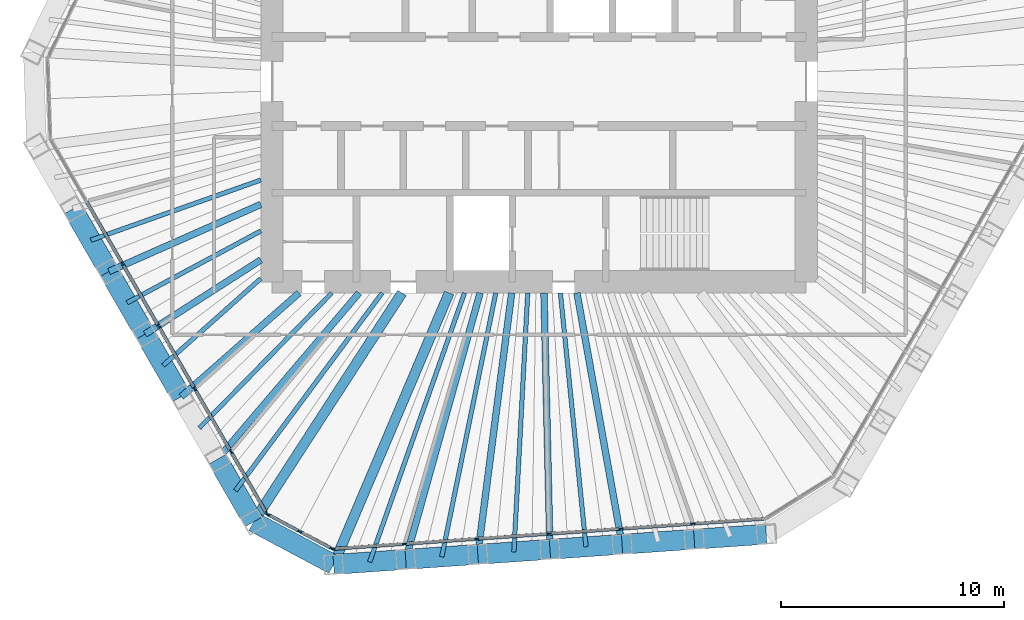
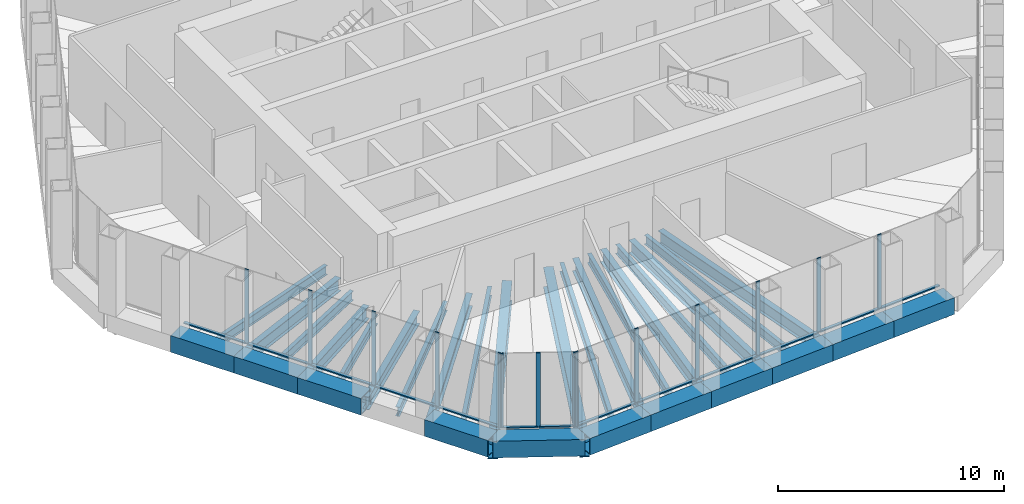
# One storey, part 2 of 14: 30 beams, 27 members, 3 elements without a shape of their own.
"""IFC4 building model written with IfcOpenShell, lengths in metres."""

from ifc_helpers import new_model, si_unit, direction, frame, origin, origin_2d, place, context, subcontext, project, spatial, rectangle, hollow_rectangle, i_section, extrude, material, material_profile, profile_set, type_object, element, aggregate, save


model = new_model("IFC4")

# Units and contexts
model_context = context("Model", 3, precision=1e-05, world=origin(), true_north=direction((0.0, 1.0)))
body_context = subcontext(model_context, "Body", "Model", "MODEL_VIEW")
ifc_project = project(units=[si_unit("LENGTHUNIT", "METRE"), si_unit("AREAUNIT", "SQUARE_METRE"), si_unit("VOLUMEUNIT", "CUBIC_METRE"), si_unit("PLANEANGLEUNIT", "RADIAN"), si_unit("MASSUNIT", "GRAM", prefix="KILO")], contexts=[model_context])

# Site, building, storey
site_placement = place(None, origin())
site = spatial("IfcSite", under=ifc_project, at=site_placement, CompositionType="ELEMENT")
building_placement = place(site_placement, origin())
building = spatial("IfcBuilding", under=site, at=building_placement, Name="Qingtian Harvest Tower", CompositionType="ELEMENT")
storey_placement = place(building_placement, frame((0.0, 0.0, 274.60009765625)))
storey = spatial("IfcBuildingStorey", under=building, at=storey_placement, Name="L60", CompositionType="ELEMENT", Elevation=274.60009765625)

# Beams
ifc_material_1 = material(Name="Steel SM570MC", Category="steel")
ifc_material_profile_1 = material_profile(ifc_material_1, i_section(OverallWidth=0.449951171875, OverallDepth=1.10009765625, WebThickness=0.02197265625, FlangeThickness=0.044921875, at=origin_2d()), Name="H1100x450x22x45")
ifc_profile_set_1 = profile_set([ifc_material_profile_1], Name="Steel SM570MC")
beam_type_1 = type_object("IfcBeamType", Name="Corner floor beam FB8 H1100x450x22x45", PredefinedType="BEAM", material=ifc_profile_set_1)
beam_1_placement = place(storey_placement, frame((-9.231201171875, -21.69677734375, -0.72021484375), z_axis=(0.391497096334, 0.920179343151, 0.0), x_axis=(-0.920179343151, 0.391497096334, 0.0)))
element("IfcBeam", 1, at=beam_1_placement, inside=storey, type_object=beam_type_1, Name="Floor beam FB8 S6", PredefinedType="BEAM", context=body_context, shape_type="SweptSolid", body=[
    extrude(i_section(OverallWidth=0.449951171875, OverallDepth=1.10009765625, WebThickness=0.02197265625, FlangeThickness=0.044921875, at=origin_2d()), origin(), (0.0, 0.0, 1.0), 13.2548828125),
])
beam_2_placement = place(storey_placement, frame((-12.825439453125, -19.78564453125, -0.72021484375), z_axis=(0.543944801957, 0.83912099987, 0.0), x_axis=(-0.83912099987, 0.543944801957, 0.0)))
element("IfcBeam", 2, at=beam_2_placement, inside=storey, type_object=beam_type_1, Name="Floor beam FB8 SW0", PredefinedType="BEAM", context=body_context, shape_type="SweptSolid", body=[
    extrude(i_section(OverallWidth=0.449951171875, OverallDepth=1.10009765625, WebThickness=0.02197265625, FlangeThickness=0.044921875, at=origin_2d()), origin(), (0.0, 0.0, 1.0), 12.257568359375),
])
ifc_material_2 = material(Name="Steel SN490B", Category="steel")
ifc_material_profile_2 = material_profile(ifc_material_2, i_section(OverallWidth=0.300048828125, OverallDepth=0.699951171875, WebThickness=0.012939453125, FlangeThickness=0.02392578125, at=origin_2d()), Name="H700x300x13x24")
ifc_profile_set_2 = profile_set([ifc_material_profile_2], Name="Steel SN490B")
beam_type_2 = type_object("IfcBeamType", Name="Floor beam FB4 H700x300x13x24", PredefinedType="BEAM", material=ifc_profile_set_2)
beam_3_placement = place(storey_placement, frame((3.729248046875, -20.79052734375, -0.52001953125), z_axis=(-0.176549332285, 0.984291792747, 0.0), x_axis=(-0.984291792747, -0.176549332285, 0.0)))
element("IfcBeam", 3, at=beam_3_placement, inside=storey, type_object=beam_type_2, Name="Floor beam FB4 S2", PredefinedType="BEAM", context=body_context, shape_type="SweptSolid", body=[
    extrude(i_section(OverallWidth=0.300048828125, OverallDepth=0.699951171875, WebThickness=0.012939453125, FlangeThickness=0.02392578125, at=origin_2d()), origin(), (0.0, 0.0, 1.0), 11.470703125),
])
beam_4_placement = place(storey_placement, frame((0.489013671875, -21.01708984375, -0.52001953125), z_axis=(-0.023248050009, 0.999729727562, 0.0), x_axis=(-0.999729727562, -0.023248050009, 0.0)))
element("IfcBeam", 4, at=beam_4_placement, inside=storey, type_object=beam_type_2, Name="Floor beam FB4 S3", PredefinedType="BEAM", context=body_context, shape_type="SweptSolid", body=[
    extrude(i_section(OverallWidth=0.300048828125, OverallDepth=0.699951171875, WebThickness=0.012939453125, FlangeThickness=0.02392578125, at=origin_2d()), origin(), (0.0, 0.0, 1.0), 11.520263671875),
])
beam_5_placement = place(storey_placement, frame((-2.7509765625, -21.24365234375, -0.52001953125), z_axis=(0.128423358095, 0.991719436683, 0.0), x_axis=(-0.991719436683, 0.128423358095, 0.0)))
element("IfcBeam", 5, at=beam_5_placement, inside=storey, type_object=beam_type_2, Name="Floor beam FB4 S4", PredefinedType="BEAM", context=body_context, shape_type="SweptSolid", body=[
    extrude(i_section(OverallWidth=0.300048828125, OverallDepth=0.699951171875, WebThickness=0.012939453125, FlangeThickness=0.02392578125, at=origin_2d()), origin(), (0.0, 0.0, 1.0), 11.841796875),
])
beam_6_placement = place(storey_placement, frame((-5.9912109375, -21.47021484375, -0.52001953125), z_axis=(0.268784556761, 0.963200322906, 0.0), x_axis=(-0.963200322906, 0.268784556761, 0.0)))
element("IfcBeam", 6, at=beam_6_placement, inside=storey, type_object=beam_type_2, Name="Floor beam FB4 S5", PredefinedType="BEAM", context=body_context, shape_type="SweptSolid", body=[
    extrude(i_section(OverallWidth=0.300048828125, OverallDepth=0.699951171875, WebThickness=0.012939453125, FlangeThickness=0.02392578125, at=origin_2d()), origin(), (0.0, 0.0, 1.0), 12.427490234375),
])
beam_7_placement = place(storey_placement, frame((-14.449462890625, -16.972900390625, -0.52001953125), z_axis=(0.64823096823, 0.761443768001, 0.0), x_axis=(-0.761443768001, 0.64823096823, 0.0)))
element("IfcBeam", 7, at=beam_7_placement, inside=storey, type_object=beam_type_2, Name="Floor beam FB4 SW1", PredefinedType="BEAM", context=body_context, shape_type="SweptSolid", body=[
    extrude(i_section(OverallWidth=0.300048828125, OverallDepth=0.699951171875, WebThickness=0.012939453125, FlangeThickness=0.02392578125, at=origin_2d()), origin(), (0.0, 0.0, 1.0), 9.814208984375),
])
beam_8_placement = place(storey_placement, frame((-16.073486328125, -14.159912109375, -0.52001953125), z_axis=(0.75036921961, 0.661018936387, 0.0), x_axis=(-0.661018936387, 0.75036921961, 0.0)))
element("IfcBeam", 8, at=beam_8_placement, inside=storey, type_object=beam_type_2, Name="Floor beam FB4 SW2", PredefinedType="BEAM", context=body_context, shape_type="SweptSolid", body=[
    extrude(i_section(OverallWidth=0.300048828125, OverallDepth=0.699951171875, WebThickness=0.012939453125, FlangeThickness=0.02392578125, at=origin_2d()), origin(), (0.0, 0.0, 1.0), 7.049560546875),
])
beam_9_placement = place(storey_placement, frame((-17.697509765625, -11.34716796875, -0.52001953125), z_axis=(0.841821552392, 0.539755939225, 0.0), x_axis=(-0.539755939225, 0.841821552392, 0.0)))
element("IfcBeam", 9, at=beam_9_placement, inside=storey, type_object=beam_type_2, Name="Floor beam FB4 SW3", PredefinedType="BEAM", context=body_context, shape_type="SweptSolid", body=[
    extrude(i_section(OverallWidth=0.300048828125, OverallDepth=0.699951171875, WebThickness=0.012939453125, FlangeThickness=0.02392578125, at=origin_2d()), origin(), (0.0, 0.0, 1.0), 6.174072265625),
])
beam_10_placement = place(storey_placement, frame((-19.321533203125, -8.5341796875, -0.52001953125), z_axis=(0.914747389649, 0.404026253021, 0.0), x_axis=(-0.404026253021, 0.914747389649, 0.0)))
element("IfcBeam", 10, at=beam_10_placement, inside=storey, type_object=beam_type_2, Name="Floor beam FB4 SW4", PredefinedType="BEAM", context=body_context, shape_type="SweptSolid", body=[
    extrude(i_section(OverallWidth=0.300048828125, OverallDepth=0.699951171875, WebThickness=0.012939453125, FlangeThickness=0.02392578125, at=origin_2d()), origin(), (0.0, 0.0, 1.0), 7.457275390625),
])
ifc_material_3 = material(Name="Steel SN490B", Category="steel")
ifc_material_profile_3 = material_profile(ifc_material_3, i_section(OverallWidth=0.199951171875, OverallDepth=0.5, WebThickness=0.010009765625, FlangeThickness=0.01611328125, at=origin_2d()), Name="H500x200x10x16")
ifc_profile_set_3 = profile_set([ifc_material_profile_3], Name="Steel SN490B")
beam_type_3 = type_object("IfcBeamType", Name="Floor joist J3 H500x200x10x16", PredefinedType="JOIST", material=ifc_profile_set_3)
beam_11_placement = place(storey_placement, frame((2.109130859375, -20.90380859375, -0.420166015625), z_axis=(-0.100389444623, 0.994948219461, 0.0), x_axis=(-0.994948219461, -0.100389444623, 0.0)))
element("IfcBeam", 11, at=beam_11_placement, inside=storey, type_object=beam_type_3, Name="Floor joist J3 S2", PredefinedType="JOIST", context=body_context, shape_type="SweptSolid", body=[
    extrude(i_section(OverallWidth=0.199951171875, OverallDepth=0.5, WebThickness=0.010009765625, FlangeThickness=0.01611328125, at=origin_2d()), origin(), (0.0, 0.0, 1.0), 11.461669921875),
])
beam_12_placement = place(storey_placement, frame((-1.130859375, -21.13037109375, -0.420166015625), z_axis=(0.053431269754, 0.998571529442, 0.0), x_axis=(-0.998571529442, 0.053431269754, 0.0)))
element("IfcBeam", 12, at=beam_12_placement, inside=storey, type_object=beam_type_3, Name="Floor joist J3 S3", PredefinedType="JOIST", context=body_context, shape_type="SweptSolid", body=[
    extrude(i_section(OverallWidth=0.199951171875, OverallDepth=0.5, WebThickness=0.010009765625, FlangeThickness=0.01611328125, at=origin_2d()), origin(), (0.0, 0.0, 1.0), 11.64697265625),
])
beam_13_placement = place(storey_placement, frame((-4.37109375, -21.35693359375, -0.420166015625), z_axis=(0.20051328843, 0.979690982485, 0.0), x_axis=(-0.979690982485, 0.20051328843, 0.0)))
element("IfcBeam", 13, at=beam_13_placement, inside=storey, type_object=beam_type_3, Name="Floor joist J3 S4", PredefinedType="JOIST", context=body_context, shape_type="SweptSolid", body=[
    extrude(i_section(OverallWidth=0.199951171875, OverallDepth=0.5, WebThickness=0.010009765625, FlangeThickness=0.01611328125, at=origin_2d()), origin(), (0.0, 0.0, 1.0), 12.102783203125),
])
beam_14_placement = place(storey_placement, frame((-7.611083984375, -21.58349609375, -0.420166015625), z_axis=(0.332557973755, 0.943082814016, 0.0), x_axis=(-0.943082814016, 0.332557973755, 0.0)))
element("IfcBeam", 14, at=beam_14_placement, inside=storey, type_object=beam_type_3, Name="Floor joist J3 S5", PredefinedType="JOIST", context=body_context, shape_type="SweptSolid", body=[
    extrude(i_section(OverallWidth=0.199951171875, OverallDepth=0.5, WebThickness=0.010009765625, FlangeThickness=0.01611328125, at=origin_2d()), origin(), (0.0, 0.0, 1.0), 12.812744140625),
])
beam_15_placement = place(storey_placement, frame((-13.637451171875, -18.37939453125, -0.420166015625), z_axis=(0.59587265023, 0.80307894052, 0.0), x_axis=(-0.80307894052, 0.59587265023, 0.0)))
element("IfcBeam", 15, at=beam_15_placement, inside=storey, type_object=beam_type_3, Name="Floor joist J3 SW0", PredefinedType="JOIST", context=body_context, shape_type="SweptSolid", body=[
    extrude(i_section(OverallWidth=0.199951171875, OverallDepth=0.5, WebThickness=0.010009765625, FlangeThickness=0.01611328125, at=origin_2d()), origin(), (0.0, 0.0, 1.0), 11.056640625),
])
beam_16_placement = place(storey_placement, frame((-15.261474609375, -15.56640625, -0.420166015625), z_axis=(0.700074571426, 0.714069740602, 0.0), x_axis=(-0.714069740602, 0.700074571426, 0.0)))
element("IfcBeam", 16, at=beam_16_placement, inside=storey, type_object=beam_type_3, Name="Floor joist J3 SW1", PredefinedType="JOIST", context=body_context, shape_type="SweptSolid", body=[
    extrude(i_section(OverallWidth=0.199951171875, OverallDepth=0.5, WebThickness=0.010009765625, FlangeThickness=0.01611328125, at=origin_2d()), origin(), (0.0, 0.0, 1.0), 8.49560546875),
])
beam_17_placement = place(storey_placement, frame((-16.885498046875, -12.753662109375, -0.420166015625), z_axis=(0.746957180478, 0.664872146004, 0.0), x_axis=(-0.664872146004, 0.746957180478, 0.0)))
element("IfcBeam", 17, at=beam_17_placement, inside=storey, type_object=beam_type_3, Name="Floor joist J3 SW2", PredefinedType="JOIST", context=body_context, shape_type="SweptSolid", body=[
    extrude(i_section(OverallWidth=0.199951171875, OverallDepth=0.5, WebThickness=0.010009765625, FlangeThickness=0.01611328125, at=origin_2d()), origin(), (0.0, 0.0, 1.0), 5.87109375),
])
beam_18_placement = place(storey_placement, frame((-18.509521484375, -9.940673828125, -0.420166015625), z_axis=(0.880981997123, 0.473149786795, 0.0), x_axis=(-0.473149786795, 0.880981997123, 0.0)))
element("IfcBeam", 18, at=beam_18_placement, inside=storey, type_object=beam_type_3, Name="Floor joist J3 SW3", PredefinedType="JOIST", context=body_context, shape_type="SweptSolid", body=[
    extrude(i_section(OverallWidth=0.199951171875, OverallDepth=0.5, WebThickness=0.010009765625, FlangeThickness=0.01611328125, at=origin_2d()), origin(), (0.0, 0.0, 1.0), 6.8212890625),
])
beam_19_placement = place(storey_placement, frame((-20.133544921875, -7.1279296875, -0.420166015625), z_axis=(0.942662600818, 0.333747241215, 0.0), x_axis=(-0.333747241215, 0.942662600818, 0.0)))
element("IfcBeam", 19, at=beam_19_placement, inside=storey, type_object=beam_type_3, Name="Floor joist J3 SW4", PredefinedType="JOIST", context=body_context, shape_type="SweptSolid", body=[
    extrude(i_section(OverallWidth=0.199951171875, OverallDepth=0.5, WebThickness=0.010009765625, FlangeThickness=0.01611328125, at=origin_2d()), origin(), (0.0, 0.0, 1.0), 8.097900390625),
])

# Curtain wall, members
ifc_material_4 = material(Name="Bronze-anodised aluminium curtain wall", Category="aluminium")
curtain_wall_type = type_object("IfcCurtainWallType", Name="Curtain wall CW5 upper office", PredefinedType="USERDEFINED", material=ifc_material_4)
curtain_wall_1_placement = place(storey_placement, origin())
curtain_wall_1 = element("IfcCurtainWall", 20, at=curtain_wall_1_placement, inside=storey, type_object=curtain_wall_type, Name="Curtain wall CW5 L60 S0-5", ObjectType="RECESSED CURTAIN WALL", PredefinedType="USERDEFINED")
ifc_material_5 = material(Name="Bronze-anodised aluminium mullion", Category="aluminium")
ifc_material_profile_4 = material_profile(ifc_material_5, rectangle(XDim=0.06494140625, YDim=0.199951171875, at=origin_2d()), Name="AL 65x200")
ifc_profile_set_4 = profile_set([ifc_material_profile_4], Name="Bronze-anodised aluminium mullion")
member_type_1 = type_object("IfcMemberType", Name="Mullion CWM 65x200", PredefinedType="MULLION", material=ifc_profile_set_4)
member_1_placement = place(storey_placement, frame((6.92041015625, -19.86572265625, 0.0), z_axis=(0.0, 0.0, 1.0), x_axis=(0.069756473744, -0.99756405026, 0.0)))
member_1 = element("IfcMember", 21, at=member_1_placement, type_object=member_type_1, Name="CW5 mullion 2", PredefinedType="MULLION", context=body_context, shape_type="SweptSolid", body=[
    extrude(rectangle(XDim=0.06494140625, YDim=0.199951171875, at=origin_2d()), origin(), (0.0, 0.0, 1.0), 4.02978515625),
])
member_2_placement = place(storey_placement, frame((3.680419921875, -20.09228515625, 0.0), z_axis=(0.0, 0.0, 1.0), x_axis=(0.069756473744, -0.99756405026, 0.0)))
member_2 = element("IfcMember", 22, at=member_2_placement, type_object=member_type_1, Name="CW5 mullion 3", PredefinedType="MULLION", context=body_context, shape_type="SweptSolid", body=[
    extrude(rectangle(XDim=0.06494140625, YDim=0.199951171875, at=origin_2d()), origin(), (0.0, 0.0, 1.0), 4.02978515625),
])
member_3_placement = place(storey_placement, frame((0.440185546875, -20.31884765625, 0.0), z_axis=(0.0, 0.0, 1.0), x_axis=(0.069756473744, -0.99756405026, 0.0)))
member_3 = element("IfcMember", 23, at=member_3_placement, type_object=member_type_1, Name="CW5 mullion 4", PredefinedType="MULLION", context=body_context, shape_type="SweptSolid", body=[
    extrude(rectangle(XDim=0.06494140625, YDim=0.199951171875, at=origin_2d()), origin(), (0.0, 0.0, 1.0), 4.02978515625),
])
member_4_placement = place(storey_placement, frame((-2.7998046875, -20.54541015625, 0.0), z_axis=(0.0, 0.0, 1.0), x_axis=(0.069756473744, -0.99756405026, 0.0)))
member_4 = element("IfcMember", 24, at=member_4_placement, type_object=member_type_1, Name="CW5 mullion 5", PredefinedType="MULLION", context=body_context, shape_type="SweptSolid", body=[
    extrude(rectangle(XDim=0.06494140625, YDim=0.199951171875, at=origin_2d()), origin(), (0.0, 0.0, 1.0), 4.02978515625),
])
member_5_placement = place(storey_placement, frame((-6.0400390625, -20.77197265625, 0.0), z_axis=(0.0, 0.0, 1.0), x_axis=(0.069756473744, -0.99756405026, 0.0)))
member_5 = element("IfcMember", 25, at=member_5_placement, type_object=member_type_1, Name="CW5 mullion 6", PredefinedType="MULLION", context=body_context, shape_type="SweptSolid", body=[
    extrude(rectangle(XDim=0.06494140625, YDim=0.199951171875, at=origin_2d()), origin(), (0.0, 0.0, 1.0), 4.02978515625),
])
member_6_placement = place(storey_placement, frame((-9.24755859375, -20.996337890625, 0.0), z_axis=(0.0, 0.0, 1.0), x_axis=(0.069756473744, -0.99756405026, 0.0)))
member_6 = element("IfcMember", 26, at=member_6_placement, type_object=member_type_1, Name="CW5 mullion 7", PredefinedType="MULLION", context=body_context, shape_type="SweptSolid", body=[
    extrude(rectangle(XDim=0.06494140625, YDim=0.199951171875, at=origin_2d()), origin(), (0.0, 0.0, 1.0), 4.02978515625),
])

curtain_wall_2_placement = place(storey_placement, origin())
curtain_wall_2 = element("IfcCurtainWall", 27, at=curtain_wall_2_placement, inside=storey, type_object=curtain_wall_type, Name="Curtain wall CW5 L60 SC", ObjectType="RECESSED CURTAIN WALL", PredefinedType="USERDEFINED")
member_7_placement = place(storey_placement, frame((-9.308837890625, -20.983154296875, 0.0), z_axis=(0.0, 0.0, 1.0), x_axis=(-0.469471562786, -0.882947592859, 0.0)))
member_7 = element("IfcMember", 28, at=member_7_placement, type_object=member_type_1, Name="CW5 mullion 1", PredefinedType="MULLION", context=body_context, shape_type="SweptSolid", body=[
    extrude(rectangle(XDim=0.06494140625, YDim=0.199951171875, at=origin_2d()), origin(), (0.0, 0.0, 1.0), 4.02978515625),
])
member_8_placement = place(storey_placement, frame((-10.749755859375, -20.217041015625, 0.0), z_axis=(0.0, 0.0, 1.0), x_axis=(-0.469471562786, -0.882947592859, 0.0)))
member_8 = element("IfcMember", 29, at=member_8_placement, type_object=member_type_1, Name="CW5 mullion 2", PredefinedType="MULLION", context=body_context, shape_type="SweptSolid", body=[
    extrude(rectangle(XDim=0.06494140625, YDim=0.199951171875, at=origin_2d()), origin(), (0.0, 0.0, 1.0), 4.02978515625),
])
member_9_placement = place(storey_placement, frame((-12.1904296875, -19.450927734375, 0.0), z_axis=(0.0, 0.0, 1.0), x_axis=(-0.469471562786, -0.882947592859, 0.0)))
member_9 = element("IfcMember", 30, at=member_9_placement, type_object=member_type_1, Name="CW5 mullion 3", PredefinedType="MULLION", context=body_context, shape_type="SweptSolid", body=[
    extrude(rectangle(XDim=0.06494140625, YDim=0.199951171875, at=origin_2d()), origin(), (0.0, 0.0, 1.0), 4.02978515625),
])

curtain_wall_3_placement = place(storey_placement, origin())
curtain_wall_3 = element("IfcCurtainWall", 31, at=curtain_wall_3_placement, inside=storey, type_object=curtain_wall_type, Name="Curtain wall CW5 L60 SW0-5", ObjectType="RECESSED CURTAIN WALL", PredefinedType="USERDEFINED")
member_10_placement = place(storey_placement, frame((-12.2353515625, -19.40771484375, 0.0), z_axis=(0.0, 0.0, 1.0), x_axis=(-0.866025403784, -0.5, 0.0)))
member_10 = element("IfcMember", 32, at=member_10_placement, type_object=member_type_1, Name="CW5 mullion 1", PredefinedType="MULLION", context=body_context, shape_type="SweptSolid", body=[
    extrude(rectangle(XDim=0.06494140625, YDim=0.199951171875, at=origin_2d()), origin(), (0.0, 0.0, 1.0), 4.02978515625),
])
member_11_placement = place(storey_placement, frame((-13.84326171875, -16.622802734375, 0.0), z_axis=(0.0, 0.0, 1.0), x_axis=(-0.866025403784, -0.5, 0.0)))
member_11 = element("IfcMember", 33, at=member_11_placement, type_object=member_type_1, Name="CW5 mullion 2", PredefinedType="MULLION", context=body_context, shape_type="SweptSolid", body=[
    extrude(rectangle(XDim=0.06494140625, YDim=0.199951171875, at=origin_2d()), origin(), (0.0, 0.0, 1.0), 4.02978515625),
])
member_12_placement = place(storey_placement, frame((-15.46728515625, -13.81005859375, 0.0), z_axis=(0.0, 0.0, 1.0), x_axis=(-0.866025403784, -0.5, 0.0)))
member_12 = element("IfcMember", 34, at=member_12_placement, type_object=member_type_1, Name="CW5 mullion 3", PredefinedType="MULLION", context=body_context, shape_type="SweptSolid", body=[
    extrude(rectangle(XDim=0.06494140625, YDim=0.199951171875, at=origin_2d()), origin(), (0.0, 0.0, 1.0), 4.02978515625),
])
member_13_placement = place(storey_placement, frame((-17.09130859375, -10.9970703125, 0.0), z_axis=(0.0, 0.0, 1.0), x_axis=(-0.866025403784, -0.5, 0.0)))
member_13 = element("IfcMember", 35, at=member_13_placement, type_object=member_type_1, Name="CW5 mullion 4", PredefinedType="MULLION", context=body_context, shape_type="SweptSolid", body=[
    extrude(rectangle(XDim=0.06494140625, YDim=0.199951171875, at=origin_2d()), origin(), (0.0, 0.0, 1.0), 4.02978515625),
])
member_14_placement = place(storey_placement, frame((-18.71533203125, -8.184326171875, 0.0), z_axis=(0.0, 0.0, 1.0), x_axis=(-0.866025403784, -0.5, 0.0)))
member_14 = element("IfcMember", 36, at=member_14_placement, type_object=member_type_1, Name="CW5 mullion 5", PredefinedType="MULLION", context=body_context, shape_type="SweptSolid", body=[
    extrude(rectangle(XDim=0.06494140625, YDim=0.199951171875, at=origin_2d()), origin(), (0.0, 0.0, 1.0), 4.02978515625),
])

# Beams
ifc_material_6 = material(Name="Steel SM570MC", Category="steel")
ifc_material_profile_5 = material_profile(ifc_material_6, hollow_rectangle(XDim=0.89990234375, YDim=0.89990234375, WallThickness=0.050048828125, at=origin_2d()), Name="BOX900x900x50")
ifc_profile_set_5 = profile_set([ifc_material_profile_5], Name="Steel SM570MC")
beam_type_4 = type_object("IfcBeamType", Name="Transition spandrel SB6 BOX900x900x50", PredefinedType="SPANDREL", material=ifc_profile_set_5)
beam_20_placement = place(storey_placement, frame((10.20947265625, -20.33740234375, -0.4501953125), z_axis=(-0.9975644093, -0.069751339047, 0.0), x_axis=(0.069751339047, -0.9975644093, 0.0)))
element("IfcBeam", 37, at=beam_20_placement, inside=storey, type_object=beam_type_4, Name="Spandrel SB6 S0", PredefinedType="SPANDREL", context=body_context, shape_type="SweptSolid", body=[
    extrude(hollow_rectangle(XDim=0.89990234375, YDim=0.89990234375, WallThickness=0.050048828125, at=origin_2d()), origin(), (0.0, 0.0, 1.0), 3.248046875),
])
beam_21_placement = place(storey_placement, frame((6.96923828125, -20.56396484375, -0.4501953125), z_axis=(-0.997564043571, -0.069756569394, 0.0), x_axis=(0.069756569394, -0.997564043571, 0.0)))
element("IfcBeam", 38, at=beam_21_placement, inside=storey, type_object=beam_type_4, Name="Spandrel SB6 S1", PredefinedType="SPANDREL", context=body_context, shape_type="SweptSolid", body=[
    extrude(hollow_rectangle(XDim=0.89990234375, YDim=0.89990234375, WallThickness=0.050048828125, at=origin_2d()), origin(), (0.0, 0.0, 1.0), 3.247802734375),
])
beam_22_placement = place(storey_placement, frame((3.729248046875, -20.79052734375, -0.4501953125), z_axis=(-0.9975644093, -0.069751339047, 0.0), x_axis=(0.069751339047, -0.9975644093, 0.0)))
element("IfcBeam", 39, at=beam_22_placement, inside=storey, type_object=beam_type_4, Name="Spandrel SB6 S2", PredefinedType="SPANDREL", context=body_context, shape_type="SweptSolid", body=[
    extrude(hollow_rectangle(XDim=0.89990234375, YDim=0.89990234375, WallThickness=0.050048828125, at=origin_2d()), origin(), (0.0, 0.0, 1.0), 3.248046875),
])
beam_23_placement = place(storey_placement, frame((0.489013671875, -21.01708984375, -0.4501953125), z_axis=(-0.997564043571, -0.069756569394, 0.0), x_axis=(0.069756569394, -0.997564043571, 0.0)))
element("IfcBeam", 40, at=beam_23_placement, inside=storey, type_object=beam_type_4, Name="Spandrel SB6 S3", PredefinedType="SPANDREL", context=body_context, shape_type="SweptSolid", body=[
    extrude(hollow_rectangle(XDim=0.89990234375, YDim=0.89990234375, WallThickness=0.050048828125, at=origin_2d()), origin(), (0.0, 0.0, 1.0), 3.247802734375),
])
beam_24_placement = place(storey_placement, frame((-2.7509765625, -21.24365234375, -0.4501953125), z_axis=(-0.9975644093, -0.069751339047, 0.0), x_axis=(0.069751339047, -0.9975644093, 0.0)))
element("IfcBeam", 41, at=beam_24_placement, inside=storey, type_object=beam_type_4, Name="Spandrel SB6 S4", PredefinedType="SPANDREL", context=body_context, shape_type="SweptSolid", body=[
    extrude(hollow_rectangle(XDim=0.89990234375, YDim=0.89990234375, WallThickness=0.050048828125, at=origin_2d()), origin(), (0.0, 0.0, 1.0), 3.248046875),
])
beam_25_placement = place(storey_placement, frame((-5.9912109375, -21.47021484375, -0.4501953125), z_axis=(-0.997564043571, -0.069756569394, 0.0), x_axis=(0.069756569394, -0.997564043571, 0.0)))
element("IfcBeam", 42, at=beam_25_placement, inside=storey, type_object=beam_type_4, Name="Spandrel SB6 S5", PredefinedType="SPANDREL", context=body_context, shape_type="SweptSolid", body=[
    extrude(hollow_rectangle(XDim=0.89990234375, YDim=0.89990234375, WallThickness=0.050048828125, at=origin_2d()), origin(), (0.0, 0.0, 1.0), 3.247802734375),
])
beam_26_placement = place(storey_placement, frame((-9.231201171875, -21.69677734375, -0.4501953125), z_axis=(-0.882943273379, 0.469479686456, 0.0), x_axis=(-0.469479686456, -0.882943273379, 0.0)))
element("IfcBeam", 43, at=beam_26_placement, inside=storey, type_object=beam_type_4, Name="Spandrel SB6 SC", PredefinedType="SPANDREL", context=body_context, shape_type="SweptSolid", body=[
    extrude(hollow_rectangle(XDim=0.89990234375, YDim=0.89990234375, WallThickness=0.050048828125, at=origin_2d()), origin(), (0.0, 0.0, 1.0), 4.07080078125),
])
for number, where, z_axis, x_axis, name in (
    (44, (-12.825439453125, -19.78564453125, -0.4501953125), (-0.500019593356, 0.866014091259, 0.0), (-0.866014091259, -0.500019593356, 0.0), "Spandrel SB6 SW0"),
    (45, (-16.073486328125, -14.159912109375, -0.4501953125), (-0.500019593356, 0.866014091259, 0.0), (-0.866014091259, -0.500019593356, 0.0), "Spandrel SB6 SW2"),
):
    element("IfcBeam", number, at=place(storey_placement, frame(where, z_axis=z_axis, x_axis=x_axis)), inside=storey, type_object=beam_type_4, Name=name, PredefinedType="SPANDREL", context=body_context, shape_type="SweptSolid", body=[
        extrude(hollow_rectangle(XDim=0.89990234375, YDim=0.89990234375, WallThickness=0.050048828125, at=origin_2d()), origin(), (0.0, 0.0, 1.0), 3.247802734375),
    ])
beam_27_placement = place(storey_placement, frame((-17.697509765625, -11.34716796875, -0.4501953125), z_axis=(-0.499987045439, 0.866032882975, 0.0), x_axis=(-0.866032882975, -0.499987045439, 0.0)))
element("IfcBeam", 46, at=beam_27_placement, inside=storey, type_object=beam_type_4, Name="Spandrel SB6 SW3", PredefinedType="SPANDREL", context=body_context, shape_type="SweptSolid", body=[
    extrude(hollow_rectangle(XDim=0.89990234375, YDim=0.89990234375, WallThickness=0.050048828125, at=origin_2d()), origin(), (0.0, 0.0, 1.0), 3.248046875),
])
beam_28_placement = place(storey_placement, frame((-19.321533203125, -8.5341796875, -0.4501953125), z_axis=(-0.500019593356, 0.866014091259, 0.0), x_axis=(-0.866014091259, -0.500019593356, 0.0)))
element("IfcBeam", 47, at=beam_28_placement, inside=storey, type_object=beam_type_4, Name="Spandrel SB6 SW4", PredefinedType="SPANDREL", context=body_context, shape_type="SweptSolid", body=[
    extrude(hollow_rectangle(XDim=0.89990234375, YDim=0.89990234375, WallThickness=0.050048828125, at=origin_2d()), origin(), (0.0, 0.0, 1.0), 3.247802734375),
])

# Member
ifc_material_7 = material(Name="Bronze-anodised aluminium transom", Category="aluminium")
ifc_material_profile_6 = material_profile(ifc_material_7, rectangle(XDim=0.14990234375, YDim=0.06494140625, at=origin_2d()), Name="AL 65x150")
ifc_profile_set_6 = profile_set([ifc_material_profile_6], Name="Bronze-anodised aluminium transom")
member_type_2 = type_object("IfcMemberType", Name="Transom CWT 65x150", PredefinedType="USERDEFINED", material=ifc_profile_set_6)
member_15_placement = place(storey_placement, frame((10.095703125, -19.6435546875, 0.032470703125), z_axis=(-0.997564955301, -0.069743529851, 0.0), x_axis=(0.069743529851, -0.997564955301, 0.0)))
member_15 = element("IfcMember", 48, at=member_15_placement, type_object=member_type_2, Name="CW5 transom 1.1", ObjectType="TRANSOM", PredefinedType="USERDEFINED", context=body_context, shape_type="SweptSolid", body=[
    extrude(rectangle(XDim=0.14990234375, YDim=0.06494140625, at=origin_2d()), origin(), (0.0, 0.0, 1.0), 3.150390625),
])

member_16_placement = place(storey_placement, frame((6.88818359375, -19.867919921875, 0.032470703125), z_axis=(-0.997566548107, -0.069720743674, 0.0), x_axis=(0.069720743674, -0.997566548107, 0.0)))
member_16 = element("IfcMember", 49, at=member_16_placement, type_object=member_type_2, Name="CW5 transom 2.1", ObjectType="TRANSOM", PredefinedType="USERDEFINED", context=body_context, shape_type="SweptSolid", body=[
    extrude(rectangle(XDim=0.14990234375, YDim=0.06494140625, at=origin_2d()), origin(), (0.0, 0.0, 1.0), 3.18310546875),
])

member_17_placement = place(storey_placement, frame((3.64794921875, -20.094482421875, 0.032470703125), z_axis=(-0.997566548107, -0.069720743674, 0.0), x_axis=(0.069720743674, -0.997566548107, 0.0)))
member_17 = element("IfcMember", 50, at=member_17_placement, type_object=member_type_2, Name="CW5 transom 3.1", ObjectType="TRANSOM", PredefinedType="USERDEFINED", context=body_context, shape_type="SweptSolid", body=[
    extrude(rectangle(XDim=0.14990234375, YDim=0.06494140625, at=origin_2d()), origin(), (0.0, 0.0, 1.0), 3.18310546875),
])

member_18_placement = place(storey_placement, frame((0.407958984375, -20.321044921875, 0.032470703125), z_axis=(-0.997566548107, -0.069720743674, 0.0), x_axis=(0.069720743674, -0.997566548107, 0.0)))
member_18 = element("IfcMember", 51, at=member_18_placement, type_object=member_type_2, Name="CW5 transom 4.1", ObjectType="TRANSOM", PredefinedType="USERDEFINED", context=body_context, shape_type="SweptSolid", body=[
    extrude(rectangle(XDim=0.14990234375, YDim=0.06494140625, at=origin_2d()), origin(), (0.0, 0.0, 1.0), 3.18310546875),
])

member_19_placement = place(storey_placement, frame((-2.832275390625, -20.547607421875, 0.032470703125), z_axis=(-0.997561210613, -0.06979707071, 0.0), x_axis=(0.06979707071, -0.997561210613, 0.0)))
member_19 = element("IfcMember", 52, at=member_19_placement, type_object=member_type_2, Name="CW5 transom 5.1", ObjectType="TRANSOM", PredefinedType="USERDEFINED", context=body_context, shape_type="SweptSolid", body=[
    extrude(rectangle(XDim=0.14990234375, YDim=0.06494140625, at=origin_2d()), origin(), (0.0, 0.0, 1.0), 3.18310546875),
])

member_20_placement = place(storey_placement, frame((-6.072509765625, -20.774169921875, 0.032470703125), z_axis=(-0.997564955301, -0.069743529851, 0.0), x_axis=(0.069743529851, -0.997564955301, 0.0)))
member_20 = element("IfcMember", 53, at=member_20_placement, type_object=member_type_2, Name="CW5 transom 6.1", ObjectType="TRANSOM", PredefinedType="USERDEFINED", context=body_context, shape_type="SweptSolid", body=[
    extrude(rectangle(XDim=0.14990234375, YDim=0.06494140625, at=origin_2d()), origin(), (0.0, 0.0, 1.0), 3.150390625),
])

aggregate(curtain_wall_1, [member_1, member_2, member_3, member_4, member_5, member_6, member_15, member_16, member_17, member_18, member_19, member_20])

member_21_placement = place(storey_placement, frame((-9.33740234375, -20.968017578125, 0.032470703125), z_axis=(-0.882960338349, 0.46944759122, 0.0), x_axis=(-0.46944759122, -0.882960338349, 0.0)))
member_21 = element("IfcMember", 54, at=member_21_placement, type_object=member_type_2, Name="CW5 transom 1.1", ObjectType="TRANSOM", PredefinedType="USERDEFINED", context=body_context, shape_type="SweptSolid", body=[
    extrude(rectangle(XDim=0.14990234375, YDim=0.06494140625, at=origin_2d()), origin(), (0.0, 0.0, 1.0), 1.56689453125),
])

member_22_placement = place(storey_placement, frame((-10.7783203125, -20.201904296875, 0.032470703125), z_axis=(-0.882960338349, 0.46944759122, 0.0), x_axis=(-0.46944759122, -0.882960338349, 0.0)))
member_22 = element("IfcMember", 55, at=member_22_placement, type_object=member_type_2, Name="CW5 transom 2.1", ObjectType="TRANSOM", PredefinedType="USERDEFINED", context=body_context, shape_type="SweptSolid", body=[
    extrude(rectangle(XDim=0.14990234375, YDim=0.06494140625, at=origin_2d()), origin(), (0.0, 0.0, 1.0), 1.56689453125),
])

aggregate(curtain_wall_2, [member_7, member_8, member_9, member_21, member_22])

member_23_placement = place(storey_placement, frame((-12.251708984375, -19.37939453125, 0.032470703125), z_axis=(-0.50000643655, 0.866021687608, 0.0), x_axis=(-0.866021687608, -0.50000643655, 0.0)))
member_23 = element("IfcMember", 56, at=member_23_placement, type_object=member_type_2, Name="CW5 transom 1.1", ObjectType="TRANSOM", PredefinedType="USERDEFINED", context=body_context, shape_type="SweptSolid", body=[
    extrude(rectangle(XDim=0.14990234375, YDim=0.06494140625, at=origin_2d()), origin(), (0.0, 0.0, 1.0), 3.150390625),
])

member_24_placement = place(storey_placement, frame((-13.859375, -16.5947265625, 0.032470703125), z_axis=(-0.5000079448, 0.866020816803, 0.0), x_axis=(-0.866020816803, -0.5000079448, 0.0)))
member_24 = element("IfcMember", 57, at=member_24_placement, type_object=member_type_2, Name="CW5 transom 2.1", ObjectType="TRANSOM", PredefinedType="USERDEFINED", context=body_context, shape_type="SweptSolid", body=[
    extrude(rectangle(XDim=0.14990234375, YDim=0.06494140625, at=origin_2d()), origin(), (0.0, 0.0, 1.0), 3.18310546875),
])

member_25_placement = place(storey_placement, frame((-15.4833984375, -13.78173828125, 0.032470703125), z_axis=(-0.500041159108, 0.866001639258, 0.0), x_axis=(-0.866001639258, -0.500041159108, 0.0)))
member_25 = element("IfcMember", 58, at=member_25_placement, type_object=member_type_2, Name="CW5 transom 3.1", ObjectType="TRANSOM", PredefinedType="USERDEFINED", context=body_context, shape_type="SweptSolid", body=[
    extrude(rectangle(XDim=0.14990234375, YDim=0.06494140625, at=origin_2d()), origin(), (0.0, 0.0, 1.0), 3.182861328125),
])

member_26_placement = place(storey_placement, frame((-17.107421875, -10.968994140625, 0.032470703125), z_axis=(-0.5000079448, 0.866020816803, 0.0), x_axis=(-0.866020816803, -0.5000079448, 0.0)))
member_26 = element("IfcMember", 59, at=member_26_placement, type_object=member_type_2, Name="CW5 transom 4.1", ObjectType="TRANSOM", PredefinedType="USERDEFINED", context=body_context, shape_type="SweptSolid", body=[
    extrude(rectangle(XDim=0.14990234375, YDim=0.06494140625, at=origin_2d()), origin(), (0.0, 0.0, 1.0), 3.18310546875),
])

member_27_placement = place(storey_placement, frame((-18.7314453125, -8.156005859375, 0.032470703125), z_axis=(-0.5000079448, 0.866020816803, 0.0), x_axis=(-0.866020816803, -0.5000079448, 0.0)))
member_27 = element("IfcMember", 60, at=member_27_placement, type_object=member_type_2, Name="CW5 transom 5.1", ObjectType="TRANSOM", PredefinedType="USERDEFINED", context=body_context, shape_type="SweptSolid", body=[
    extrude(rectangle(XDim=0.14990234375, YDim=0.06494140625, at=origin_2d()), origin(), (0.0, 0.0, 1.0), 3.18310546875),
])

aggregate(curtain_wall_3, [member_10, member_11, member_12, member_13, member_14, member_23, member_24, member_25, member_26, member_27])

save(model, "model.ifc")
